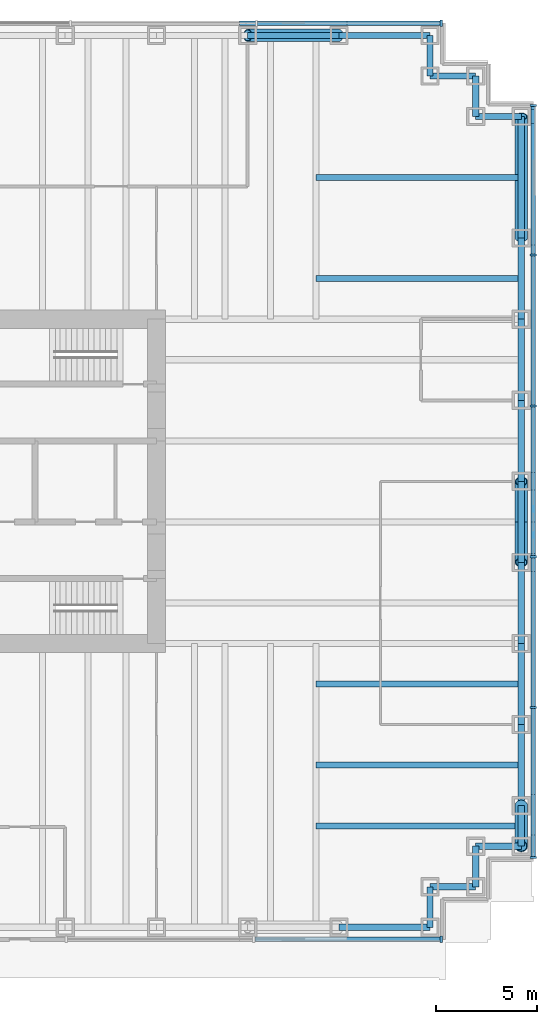
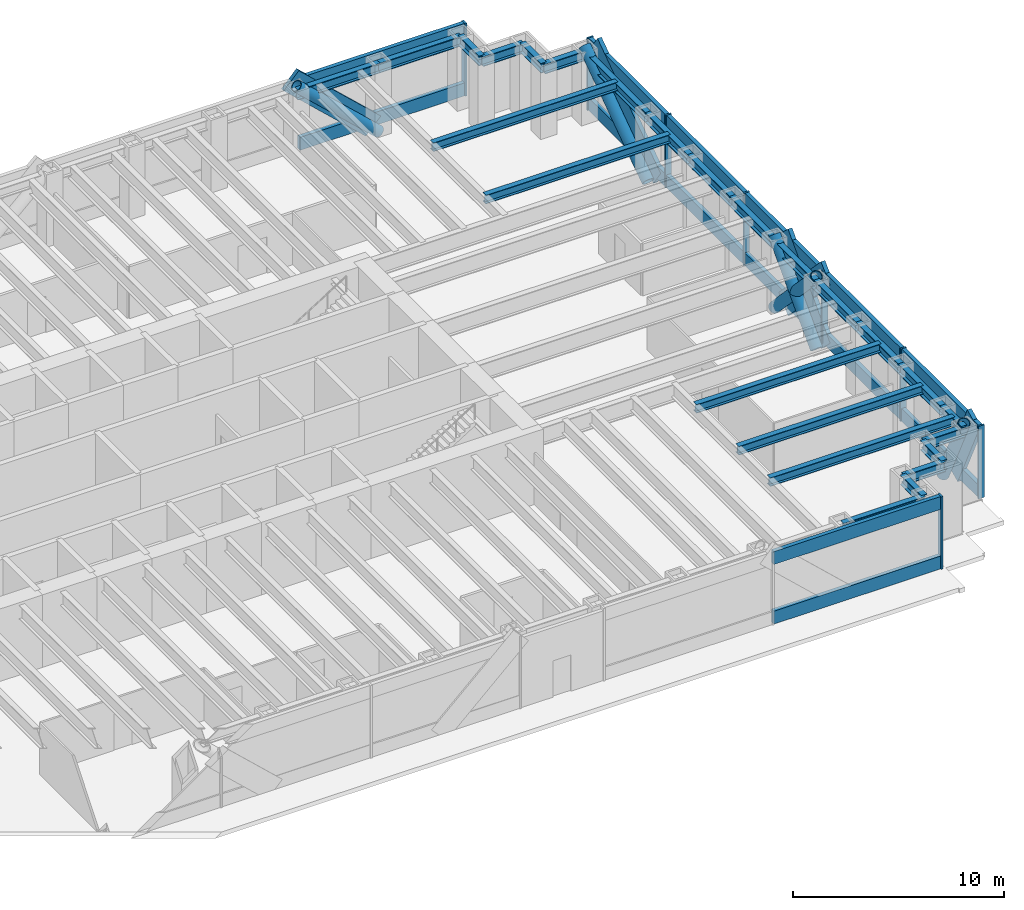
# One storey, part 5 of 14: 32 members, 25 beams, 3 elements without a shape of their own.
"""IFC4 building model written with IfcOpenShell, lengths in metres."""

import ifcopenshell
import ifcopenshell.guid

model = None  # the IFC model being written
_history = None  # IfcOwnerHistory: only IFC2X3 demands one
_inside = {}  # id of a spatial element -> (the spatial element, [elements in it])
_under = {}  # id of a project, library or spatial element -> (it, [spatial elements below it])
_declared = {}  # id of a project -> (the project, [libraries it declares])
_typed = {}  # id of a type object -> (the type object, [elements of that type])
_made_of = {}  # id of a material, layer set ... -> (it, [elements and type objects made of it])


def new_model(schema):
    """Start an empty IFC model of exactly this schema.

    Asked for "IFC4X3", IfcOpenShell would pick the latest addendum, in which some entities
    have other attributes; the version numbers below select the first issue.
    IFC2X3 requires an IfcOwnerHistory on every rooted entity: one is made here for all.
    """
    global model, _history
    if schema == "IFC4X3":
        model = ifcopenshell.file(schema_version=(4, 3, 0, 0))
    else:
        model = ifcopenshell.file(schema=schema)
    _inside.clear()
    _under.clear()
    _declared.clear()
    _typed.clear()
    _made_of.clear()
    _history = None
    if model.schema == "IFC2X3":
        org = make("IfcOrganization", Name="unknown")
        user = make(
            "IfcPersonAndOrganization",
            ThePerson=make("IfcPerson", FamilyName="unknown"),
            TheOrganization=org,
        )
        app = make(
            "IfcApplication",
            ApplicationDeveloper=org,
            Version="unknown",
            ApplicationFullName="unknown",
            ApplicationIdentifier="unknown",
        )
        _history = make(
            "IfcOwnerHistory",
            OwningUser=user,
            OwningApplication=app,
            ChangeAction="ADDED",
            CreationDate=0,
        )
    return model


def make(cls, **values):
    """One entity of the class cls with the attributes given. An attribute that is None is left unset."""
    return model.create_entity(
        cls, **{name: value for name, value in values.items() if value is not None}
    )


def rooted(cls, **values):
    """An entity with a GlobalId (a new one), such as an element, a storey or a relation."""
    return make(cls, GlobalId=ifcopenshell.guid.new(), OwnerHistory=_history, **values)


def si_unit(unit_type, name, prefix=None):
    """IfcSIUnit, for example si_unit("LENGTHUNIT", "METRE", prefix="MILLI")."""
    return make("IfcSIUnit", UnitType=unit_type, Prefix=prefix, Name=name)


def assignment(units):
    """IfcUnitAssignment: the units of a project."""
    return None if units is None else make("IfcUnitAssignment", Units=units)


def point(xyz):
    """IfcCartesianPoint."""
    return None if xyz is None else make("IfcCartesianPoint", Coordinates=xyz)


def direction(xyz):
    """IfcDirection."""
    return None if xyz is None else make("IfcDirection", DirectionRatios=xyz)


def frame(location, z_axis=None, x_axis=None):
    """IfcAxis2Placement3D, a coordinate frame: its origin and axes. An axis left out is left unset."""
    return make(
        "IfcAxis2Placement3D",
        Location=point(location),
        Axis=direction(z_axis),
        RefDirection=direction(x_axis),
    )


def frame_2d(location, x_axis=None):
    """IfcAxis2Placement2D, a coordinate frame in the plane: its origin and x axis."""
    return make(
        "IfcAxis2Placement2D", Location=point(location), RefDirection=direction(x_axis)
    )


def origin():
    """The frame at (0, 0, 0) with its axes left unset."""
    return frame((0.0, 0.0, 0.0))


def origin_2d():
    """The frame at (0, 0) in the plane with its x axis left unset."""
    return frame_2d((0.0, 0.0))


def place(relative_to, where):
    """IfcLocalPlacement: puts the frame where relative to a parent placement (None: the world)."""
    return make(
        "IfcLocalPlacement", PlacementRelTo=relative_to, RelativePlacement=where
    )


def context(
    kind, dimensions, precision=None, world=None, true_north=None, identifier=None
):
    """IfcGeometricRepresentationContext, for example the 3D "Model" context."""
    return make(
        "IfcGeometricRepresentationContext",
        ContextIdentifier=identifier,
        ContextType=kind,
        CoordinateSpaceDimension=dimensions,
        Precision=precision,
        WorldCoordinateSystem=world,
        TrueNorth=true_north,
    )


def subcontext(parent, identifier, kind, view, scale=None):
    """IfcGeometricRepresentationSubContext, for example "Body" below "Model"."""
    return make(
        "IfcGeometricRepresentationSubContext",
        ContextIdentifier=identifier,
        ContextType=kind,
        ParentContext=parent,
        TargetScale=scale,
        TargetView=view,
    )


def project(units=None, contexts=None):
    """IfcProject with its units and contexts."""
    return rooted(
        "IfcProject",
        Name="project",
        RepresentationContexts=contexts,
        UnitsInContext=assignment(units),
    )


def spatial(cls, under=None, at=None, **own):
    """A site, building, storey or space (cls), placed at a placement, below another one or the project."""
    s = rooted(cls, ObjectPlacement=at, **own)
    if under is not None:
        _under.setdefault(under.id(), (under, []))[1].append(s)
    return s


def profile(cls, at=None, kind="AREA", **sizes):
    """A parametric profile (cls). Its sizes go by their IFC names, for example OverallWidth=200.0."""
    return make(cls, ProfileType=kind, Position=at, **sizes)


def rectangle(**sizes):
    """IfcRectangleProfileDef."""
    return profile("IfcRectangleProfileDef", **sizes)


def hollow_circle(**sizes):
    """IfcCircleHollowProfileDef."""
    return profile("IfcCircleHollowProfileDef", **sizes)


def i_section(**sizes):
    """IfcIShapeProfileDef."""
    return profile("IfcIShapeProfileDef", **sizes)


def extrude(swept, where, along, depth):
    """IfcExtrudedAreaSolid: the profile swept, set in the frame where, extruded along a direction by depth."""
    return make(
        "IfcExtrudedAreaSolid",
        SweptArea=swept,
        Position=where,
        ExtrudedDirection=direction(along),
        Depth=depth,
    )


def shape(context_of_items, identifier, shape_type, items):
    """IfcShapeRepresentation: the items that make up one representation, for example the "Body"."""
    return make(
        "IfcShapeRepresentation",
        ContextOfItems=context_of_items,
        RepresentationIdentifier=identifier,
        RepresentationType=shape_type,
        Items=items,
    )


def material(Name=None, Category=None):
    """IfcMaterial."""
    return make("IfcMaterial", Name=Name, Category=Category)


def material_profile(
    of_material, cross_section, Name=None, Category=None, Priority=None
):
    """IfcMaterialProfile: a cross section and its material."""
    return make(
        "IfcMaterialProfile",
        Name=Name,
        Material=of_material,
        Profile=cross_section,
        Priority=Priority,
        Category=Category,
    )


def profile_set(profiles, Name=None, composite=None):
    """IfcMaterialProfileSet."""
    return make(
        "IfcMaterialProfileSet",
        Name=Name,
        MaterialProfiles=profiles,
        CompositeProfile=composite,
    )


def made_of(thing, what):
    """Note that an element or type object is made of a material, layer set ...; save() writes the relation."""
    if what is not None:
        _made_of.setdefault(what.id(), (what, []))[1].append(thing)
    return thing


def type_object(cls, material=None, **own):
    """A type object (cls), such as IfcWallType, which elements share."""
    return made_of(rooted(cls, **own), material)


def element(
    cls,
    number,
    at=None,
    inside=None,
    cuts=None,
    type_object=None,
    material=None,
    context=None,
    identifier="Body",
    shape_type=None,
    held_by="IfcProductDefinitionShape",
    body=None,
    shapes=None,
    **own,
):
    """One element of the class cls, such as IfcWall. Its Tag is "e" and its number.

    at: its placement. inside: the storey or other place that contains it. cuts: it is an
    opening in that element (IfcRelVoidsElement). A single representation is given by context,
    identifier, shape_type and body (its items); several are given by shapes. held_by: the class
    of the entity that holds the representations. save() writes the other relations.
    """
    e = rooted(cls, Tag="e%d" % number, ObjectPlacement=at, **own)
    if body is not None:
        shapes = [shape(context, identifier, shape_type, body)]
    if shapes is not None:
        e.Representation = make(held_by, Representations=shapes)
    if inside is not None:
        _inside.setdefault(inside.id(), (inside, []))[1].append(e)
    if cuts is not None:
        rooted(
            "IfcRelVoidsElement", RelatingBuildingElement=cuts, RelatedOpeningElement=e
        )
    if type_object is not None:
        _typed.setdefault(type_object.id(), (type_object, []))[1].append(e)
    return made_of(e, material)


def aggregate(whole, parts):
    """IfcRelAggregates: a whole, such as a stair, and the parts it consists of."""
    return rooted("IfcRelAggregates", RelatingObject=whole, RelatedObjects=parts)


def save(model, path):
    """Write the relations noted so far, then the file.

    IfcRelAggregates (storeys below a building ...), IfcRelContainedInSpatialStructure (elements
    in a storey), IfcRelDefinesByType, IfcRelAssociatesMaterial and IfcRelDeclares: one each for
    every whole, place, type object, material and project.
    """
    for whole, parts in _under.values():
        aggregate(whole, parts)
    for where, things in _inside.values():
        rooted(
            "IfcRelContainedInSpatialStructure",
            RelatedElements=things,
            RelatingStructure=where,
        )
    for kind, things in _typed.values():
        rooted("IfcRelDefinesByType", RelatedObjects=things, RelatingType=kind)
    for what, things in _made_of.values():
        rooted("IfcRelAssociatesMaterial", RelatedObjects=things, RelatingMaterial=what)
    for by, libraries in _declared.values():
        rooted("IfcRelDeclares", RelatingContext=by, RelatedDefinitions=libraries)
    model.write(path)


model = new_model("IFC4")

# Units and contexts
model_context = context("Model", 3, precision=1e-05, world=origin(), true_north=direction((0.0, 1.0)))
body_context = subcontext(model_context, "Body", "Model", "MODEL_VIEW")
ifc_project = project(units=[si_unit("LENGTHUNIT", "METRE"), si_unit("AREAUNIT", "SQUARE_METRE"), si_unit("VOLUMEUNIT", "CUBIC_METRE"), si_unit("PLANEANGLEUNIT", "RADIAN"), si_unit("MASSUNIT", "GRAM", prefix="KILO")], contexts=[model_context])

# Site, building, storey
site_placement = place(None, origin())
site = spatial("IfcSite", under=ifc_project, at=site_placement, CompositionType="ELEMENT")
building_placement = place(site_placement, origin())
building = spatial("IfcBuilding", under=site, at=building_placement, Name="Rheinbord Bourse Tower", CompositionType="ELEMENT")
storey_placement = place(building_placement, frame((0.0, 0.0, 100.5)))
storey = spatial("IfcBuildingStorey", under=building, at=storey_placement, Name="L21", CompositionType="ELEMENT", Elevation=100.5)

# Curtain wall, members
ifc_material_1 = material(Name="Dark glass and black aluminium", Category="aluminium")
curtain_wall_type = type_object("IfcCurtainWallType", Name="CW6 DARK GLASS CURTAIN WALL", PredefinedType="USERDEFINED", material=ifc_material_1)
curtain_wall_1_placement = place(storey_placement, origin())
curtain_wall_1 = element("IfcCurtainWall", 1, at=curtain_wall_1_placement, inside=storey, type_object=curtain_wall_type, Name="Curtain wall CW6 E L21", ObjectType="UNITISED CURTAIN WALL", PredefinedType="USERDEFINED")
ifc_material_2 = material(Name="Black anodised aluminium", Category="aluminium")
ifc_material_profile_1 = material_profile(ifc_material_2, rectangle(XDim=0.219970703125, YDim=1.2099609375, at=origin_2d()), Name="CW6 DIAGONAL MULLION 1210x220")
ifc_profile_set_1 = profile_set([ifc_material_profile_1], Name="Black anodised aluminium")
member_type_1 = type_object("IfcMemberType", Name="CW6 BLACK DIAGONAL MULLION", PredefinedType="USERDEFINED", material=ifc_profile_set_1)
member_1_placement = place(storey_placement, frame((72.60009765625, 20.0, 0.0), z_axis=(0.0, 0.689659376744, 0.724133926887), x_axis=(-1.0, 0.0, 0.0)))
member_1 = element("IfcMember", 2, at=member_1_placement, type_object=member_type_1, Name="CW6 diagonal mullion a", ObjectType="DIAGONAL MULLION", PredefinedType="USERDEFINED", context=body_context, shape_type="SweptSolid", body=[
    extrude(rectangle(XDim=0.219970703125, YDim=1.2099609375, at=origin_2d()), origin(), (0.0, 0.0, 1.0), 5.800048828125),
])
member_2_placement = place(storey_placement, frame((72.60009765625, 24.0, 0.0), z_axis=(0.0, -0.689659376744, 0.724133926887), x_axis=(1.0, 0.0, 0.0)))
member_2 = element("IfcMember", 3, at=member_2_placement, type_object=member_type_1, Name="CW6 diagonal mullion b", ObjectType="DIAGONAL MULLION", PredefinedType="USERDEFINED", context=body_context, shape_type="SweptSolid", body=[
    extrude(rectangle(XDim=0.219970703125, YDim=1.2099609375, at=origin_2d()), origin(), (0.0, 0.0, 1.0), 5.800048828125),
])
member_3_placement = place(storey_placement, frame((72.60009765625, 36.0, 0.0), z_axis=(0.0, 0.819235052632, 0.57345786989), x_axis=(-1.0, 0.0, 0.0)))
member_3 = element("IfcMember", 4, at=member_3_placement, type_object=member_type_1, Name="CW6 diagonal mullion c", ObjectType="DIAGONAL MULLION", PredefinedType="USERDEFINED", context=body_context, shape_type="SweptSolid", body=[
    extrude(rectangle(XDim=0.219970703125, YDim=1.2099609375, at=origin_2d()), origin(), (0.0, 0.0, 1.0), 7.323974609375),
])
member_4_placement = place(storey_placement, frame((72.60009765625, 8.0, 0.0), z_axis=(0.0, -0.429937654825, 0.902858578607), x_axis=(1.0, 0.0, 0.0)))
member_4 = element("IfcMember", 5, at=member_4_placement, type_object=member_type_1, Name="CW6 diagonal mullion d", ObjectType="DIAGONAL MULLION", PredefinedType="USERDEFINED", context=body_context, shape_type="SweptSolid", body=[
    extrude(rectangle(XDim=0.219970703125, YDim=1.2099609375, at=origin_2d()), origin(), (0.0, 0.0, 1.0), 4.65185546875),
])

# Curtain wall, member
curtain_wall_2_placement = place(storey_placement, origin())
curtain_wall_2 = element("IfcCurtainWall", 6, at=curtain_wall_2_placement, inside=storey, type_object=curtain_wall_type, Name="Curtain wall CW6 N L21", ObjectType="UNITISED CURTAIN WALL", PredefinedType="USERDEFINED")
member_5_placement = place(storey_placement, frame((63.0, 46.60009765625, 0.0), z_axis=(-0.73105922506, 0.0, 0.682314010889), x_axis=(0.0, -1.0, 0.0)))
member_5 = element("IfcMember", 7, at=member_5_placement, type_object=member_type_1, Name="CW6 diagonal mullion d", ObjectType="DIAGONAL MULLION", PredefinedType="USERDEFINED", context=body_context, shape_type="SweptSolid", body=[
    extrude(rectangle(XDim=0.219970703125, YDim=1.2099609375, at=origin_2d()), origin(), (0.0, 0.0, 1.0), 6.155517578125),
])

curtain_wall_3_placement = place(storey_placement, origin())
curtain_wall_3 = element("IfcCurtainWall", 8, at=curtain_wall_3_placement, inside=storey, type_object=curtain_wall_type, Name="Curtain wall CW6 S L21", ObjectType="UNITISED CURTAIN WALL", PredefinedType="USERDEFINED")
ifc_material_3 = material(Name="Black anodised aluminium", Category="aluminium")
ifc_material_profile_2 = material_profile(ifc_material_3, rectangle(XDim=0.320068359375, YDim=0.10009765625, at=origin_2d()), Name="CW6 MULLION 100x320")
ifc_profile_set_2 = profile_set([ifc_material_profile_2], Name="Black anodised aluminium")
member_type_2 = type_object("IfcMemberType", Name="CW6 BLACK MULLION", PredefinedType="MULLION", material=ifc_profile_set_2)
member_6_placement = place(storey_placement, frame((68.050048828125, 1.39990234375, 0.0), z_axis=(0.0, 0.0, 1.0), x_axis=(0.0, 1.0, 0.0)))
member_6 = element("IfcMember", 9, at=member_6_placement, type_object=member_type_2, Name="CW6 mullion 3", PredefinedType="MULLION", context=body_context, shape_type="SweptSolid", body=[
    extrude(rectangle(XDim=0.320068359375, YDim=0.10009765625, at=origin_2d()), origin(), (0.0, 0.0, 1.0), 4.199951171875),
])

# Member
member_7_placement = place(storey_placement, frame((72.60009765625, 5.449951171875, 0.0), z_axis=(0.0, 0.0, 1.0), x_axis=(-1.0, 0.0, 0.0)))
member_7 = element("IfcMember", 10, at=member_7_placement, type_object=member_type_2, Name="CW6 mullion 1", PredefinedType="MULLION", context=body_context, shape_type="SweptSolid", body=[
    extrude(rectangle(XDim=0.320068359375, YDim=0.10009765625, at=origin_2d()), origin(), (0.0, 0.0, 1.0), 4.199951171875),
])

member_8_placement = place(storey_placement, frame((72.60009765625, 12.840087890625, 0.0), z_axis=(0.0, 0.0, 1.0), x_axis=(-1.0, 0.0, 0.0)))
member_8 = element("IfcMember", 11, at=member_8_placement, type_object=member_type_2, Name="CW6 mullion 2", PredefinedType="MULLION", context=body_context, shape_type="SweptSolid", body=[
    extrude(rectangle(XDim=0.320068359375, YDim=0.10009765625, at=origin_2d()), origin(), (0.0, 0.0, 1.0), 4.199951171875),
])

member_9_placement = place(storey_placement, frame((72.60009765625, 20.280029296875, 0.0), z_axis=(0.0, 0.0, 1.0), x_axis=(-1.0, 0.0, 0.0)))
member_9 = element("IfcMember", 12, at=member_9_placement, type_object=member_type_2, Name="CW6 mullion 3", PredefinedType="MULLION", context=body_context, shape_type="SweptSolid", body=[
    extrude(rectangle(XDim=0.320068359375, YDim=0.10009765625, at=origin_2d()), origin(), (0.0, 0.0, 1.0), 4.199951171875),
])

member_10_placement = place(storey_placement, frame((72.60009765625, 27.719970703125, 0.0), z_axis=(0.0, 0.0, 1.0), x_axis=(-1.0, 0.0, 0.0)))
member_10 = element("IfcMember", 13, at=member_10_placement, type_object=member_type_2, Name="CW6 mullion 4", PredefinedType="MULLION", context=body_context, shape_type="SweptSolid", body=[
    extrude(rectangle(XDim=0.320068359375, YDim=0.10009765625, at=origin_2d()), origin(), (0.0, 0.0, 1.0), 4.199951171875),
])

member_11_placement = place(storey_placement, frame((72.60009765625, 35.159912109375, 0.0), z_axis=(0.0, 0.0, 1.0), x_axis=(-1.0, 0.0, 0.0)))
member_11 = element("IfcMember", 14, at=member_11_placement, type_object=member_type_2, Name="CW6 mullion 5", PredefinedType="MULLION", context=body_context, shape_type="SweptSolid", body=[
    extrude(rectangle(XDim=0.320068359375, YDim=0.10009765625, at=origin_2d()), origin(), (0.0, 0.0, 1.0), 4.199951171875),
])

member_12_placement = place(storey_placement, frame((72.60009765625, 42.550048828125, 0.0), z_axis=(0.0, 0.0, 1.0), x_axis=(-1.0, 0.0, 0.0)))
member_12 = element("IfcMember", 15, at=member_12_placement, type_object=member_type_2, Name="CW6 mullion 6", PredefinedType="MULLION", context=body_context, shape_type="SweptSolid", body=[
    extrude(rectangle(XDim=0.320068359375, YDim=0.10009765625, at=origin_2d()), origin(), (0.0, 0.0, 1.0), 4.199951171875),
])

member_13_placement = place(storey_placement, frame((68.050048828125, 46.60009765625, 0.0), z_axis=(0.0, 0.0, 1.0), x_axis=(0.0, -1.0, 0.0)))
member_13 = element("IfcMember", 16, at=member_13_placement, type_object=member_type_2, Name="CW6 mullion 1", PredefinedType="MULLION", context=body_context, shape_type="SweptSolid", body=[
    extrude(rectangle(XDim=0.320068359375, YDim=0.10009765625, at=origin_2d()), origin(), (0.0, 0.0, 1.0), 4.199951171875),
])

ifc_material_4 = material(Name="Black anodised aluminium", Category="aluminium")
ifc_material_profile_3 = material_profile(ifc_material_4, rectangle(XDim=0.219970703125, YDim=0.75, at=origin_2d()), Name="CW6 TRANSOM 750x220")
ifc_profile_set_3 = profile_set([ifc_material_profile_3], Name="Black anodised aluminium")
member_type_3 = type_object("IfcMemberType", Name="CW6 BLACK TRANSOM", PredefinedType="USERDEFINED", material=ifc_profile_set_3)
member_14_placement = place(storey_placement, frame((58.85009765625, 1.39990234375, 0.375), z_axis=(1.0, 0.0, 0.0), x_axis=(0.0, 1.0, 0.0)))
member_14 = element("IfcMember", 17, at=member_14_placement, type_object=member_type_3, Name="CW6 transom 2.1", ObjectType="TRANSOM", PredefinedType="USERDEFINED", context=body_context, shape_type="SweptSolid", body=[
    extrude(rectangle(XDim=0.219970703125, YDim=0.75, at=origin_2d()), origin(), (0.0, 0.0, 1.0), 9.14990234375),
])

member_15_placement = place(storey_placement, frame((58.85009765625, 1.39990234375, 3.824951171875), z_axis=(1.0, 0.0, 0.0), x_axis=(0.0, 1.0, 0.0)))
member_15 = element("IfcMember", 18, at=member_15_placement, type_object=member_type_3, Name="CW6 transom 2.2", ObjectType="TRANSOM", PredefinedType="USERDEFINED", context=body_context, shape_type="SweptSolid", body=[
    extrude(rectangle(XDim=0.219970703125, YDim=0.75, at=origin_2d()), origin(), (0.0, 0.0, 1.0), 9.14990234375),
])

aggregate(curtain_wall_3, [member_6, member_14, member_15])

member_16_placement = place(storey_placement, frame((72.60009765625, 5.5, 0.375), z_axis=(0.0, 1.0, 0.0), x_axis=(-1.0, 0.0, 0.0)))
member_16 = element("IfcMember", 19, at=member_16_placement, type_object=member_type_3, Name="CW6 transom 1.1", ObjectType="TRANSOM", PredefinedType="USERDEFINED", context=body_context, shape_type="SweptSolid", body=[
    extrude(rectangle(XDim=0.219970703125, YDim=0.75, at=origin_2d()), origin(), (0.0, 0.0, 1.0), 7.2900390625),
])

member_17_placement = place(storey_placement, frame((72.60009765625, 5.5, 3.824951171875), z_axis=(0.0, 1.0, 0.0), x_axis=(-1.0, 0.0, 0.0)))
member_17 = element("IfcMember", 20, at=member_17_placement, type_object=member_type_3, Name="CW6 transom 1.2", ObjectType="TRANSOM", PredefinedType="USERDEFINED", context=body_context, shape_type="SweptSolid", body=[
    extrude(rectangle(XDim=0.219970703125, YDim=0.75, at=origin_2d()), origin(), (0.0, 0.0, 1.0), 7.2900390625),
])

member_18_placement = place(storey_placement, frame((72.60009765625, 12.889892578125, 0.375), z_axis=(0.0, 1.0, 0.0), x_axis=(-1.0, 0.0, 0.0)))
member_18 = element("IfcMember", 21, at=member_18_placement, type_object=member_type_3, Name="CW6 transom 2.1", ObjectType="TRANSOM", PredefinedType="USERDEFINED", context=body_context, shape_type="SweptSolid", body=[
    extrude(rectangle(XDim=0.219970703125, YDim=0.75, at=origin_2d()), origin(), (0.0, 0.0, 1.0), 7.340087890625),
])

member_19_placement = place(storey_placement, frame((72.60009765625, 12.889892578125, 3.824951171875), z_axis=(0.0, 1.0, 0.0), x_axis=(-1.0, 0.0, 0.0)))
member_19 = element("IfcMember", 22, at=member_19_placement, type_object=member_type_3, Name="CW6 transom 2.2", ObjectType="TRANSOM", PredefinedType="USERDEFINED", context=body_context, shape_type="SweptSolid", body=[
    extrude(rectangle(XDim=0.219970703125, YDim=0.75, at=origin_2d()), origin(), (0.0, 0.0, 1.0), 7.340087890625),
])

member_20_placement = place(storey_placement, frame((72.60009765625, 20.330078125, 0.375), z_axis=(0.0, 1.0, 0.0), x_axis=(-1.0, 0.0, 0.0)))
member_20 = element("IfcMember", 23, at=member_20_placement, type_object=member_type_3, Name="CW6 transom 3.1", ObjectType="TRANSOM", PredefinedType="USERDEFINED", context=body_context, shape_type="SweptSolid", body=[
    extrude(rectangle(XDim=0.219970703125, YDim=0.75, at=origin_2d()), origin(), (0.0, 0.0, 1.0), 7.33984375),
])

member_21_placement = place(storey_placement, frame((72.60009765625, 20.330078125, 3.824951171875), z_axis=(0.0, 1.0, 0.0), x_axis=(-1.0, 0.0, 0.0)))
member_21 = element("IfcMember", 24, at=member_21_placement, type_object=member_type_3, Name="CW6 transom 3.2", ObjectType="TRANSOM", PredefinedType="USERDEFINED", context=body_context, shape_type="SweptSolid", body=[
    extrude(rectangle(XDim=0.219970703125, YDim=0.75, at=origin_2d()), origin(), (0.0, 0.0, 1.0), 7.33984375),
])

member_22_placement = place(storey_placement, frame((72.60009765625, 27.77001953125, 0.375), z_axis=(0.0, 1.0, 0.0), x_axis=(-1.0, 0.0, 0.0)))
member_22 = element("IfcMember", 25, at=member_22_placement, type_object=member_type_3, Name="CW6 transom 4.1", ObjectType="TRANSOM", PredefinedType="USERDEFINED", context=body_context, shape_type="SweptSolid", body=[
    extrude(rectangle(XDim=0.219970703125, YDim=0.75, at=origin_2d()), origin(), (0.0, 0.0, 1.0), 7.340087890625),
])

member_23_placement = place(storey_placement, frame((72.60009765625, 27.77001953125, 3.824951171875), z_axis=(0.0, 1.0, 0.0), x_axis=(-1.0, 0.0, 0.0)))
member_23 = element("IfcMember", 26, at=member_23_placement, type_object=member_type_3, Name="CW6 transom 4.2", ObjectType="TRANSOM", PredefinedType="USERDEFINED", context=body_context, shape_type="SweptSolid", body=[
    extrude(rectangle(XDim=0.219970703125, YDim=0.75, at=origin_2d()), origin(), (0.0, 0.0, 1.0), 7.340087890625),
])

member_24_placement = place(storey_placement, frame((72.60009765625, 35.2099609375, 0.375), z_axis=(0.0, 1.0, 0.0), x_axis=(-1.0, 0.0, 0.0)))
member_24 = element("IfcMember", 27, at=member_24_placement, type_object=member_type_3, Name="CW6 transom 5.1", ObjectType="TRANSOM", PredefinedType="USERDEFINED", context=body_context, shape_type="SweptSolid", body=[
    extrude(rectangle(XDim=0.219970703125, YDim=0.75, at=origin_2d()), origin(), (0.0, 0.0, 1.0), 7.2900390625),
])

member_25_placement = place(storey_placement, frame((72.60009765625, 35.2099609375, 3.824951171875), z_axis=(0.0, 1.0, 0.0), x_axis=(-1.0, 0.0, 0.0)))
member_25 = element("IfcMember", 28, at=member_25_placement, type_object=member_type_3, Name="CW6 transom 5.2", ObjectType="TRANSOM", PredefinedType="USERDEFINED", context=body_context, shape_type="SweptSolid", body=[
    extrude(rectangle(XDim=0.219970703125, YDim=0.75, at=origin_2d()), origin(), (0.0, 0.0, 1.0), 7.2900390625),
])

aggregate(curtain_wall_1, [member_7, member_8, member_9, member_10, member_11, member_12, member_16, member_17, member_18, member_19, member_20, member_21, member_22, member_23, member_24, member_25, member_1, member_2, member_3, member_4])

member_26_placement = place(storey_placement, frame((68.0, 46.60009765625, 0.375), z_axis=(-1.0, 0.0, 0.0), x_axis=(0.0, -1.0, 0.0)))
member_26 = element("IfcMember", 29, at=member_26_placement, type_object=member_type_3, Name="CW6 transom 1.1", ObjectType="TRANSOM", PredefinedType="USERDEFINED", context=body_context, shape_type="SweptSolid", body=[
    extrude(rectangle(XDim=0.219970703125, YDim=0.75, at=origin_2d()), origin(), (0.0, 0.0, 1.0), 9.021484375),
])

member_27_placement = place(storey_placement, frame((68.0, 46.60009765625, 3.824951171875), z_axis=(-1.0, 0.0, 0.0), x_axis=(0.0, -1.0, 0.0)))
member_27 = element("IfcMember", 30, at=member_27_placement, type_object=member_type_3, Name="CW6 transom 1.2", ObjectType="TRANSOM", PredefinedType="USERDEFINED", context=body_context, shape_type="SweptSolid", body=[
    extrude(rectangle(XDim=0.219970703125, YDim=0.75, at=origin_2d()), origin(), (0.0, 0.0, 1.0), 9.021484375),
])

aggregate(curtain_wall_2, [member_13, member_26, member_27, member_5])

# Members
ifc_material_5 = material(Name="Steel S460", Category="steel")
ifc_material_profile_4 = material_profile(ifc_material_5, hollow_circle(Radius=0.304931640625, WallThickness=0.0400390625, at=origin_2d()), Name="CHS 610x40")
ifc_profile_set_4 = profile_set([ifc_material_profile_4], Name="Steel S460")
member_type_4 = type_object("IfcMemberType", Name="MEGABRACE CHS 610x40", PredefinedType="BRACE", material=ifc_profile_set_4)
for number, where, z_axis, x_axis, name in (
    (31, (72.0, 20.0, 0.0), (0.0, 0.689659376744, 0.724133926887), (-1.0, 0.0, 0.0), "Megabrace E face line a L21"),
    (32, (72.0, 24.0, 0.0), (0.0, -0.689659376744, 0.724133926887), (1.0, 0.0, 0.0), "Megabrace E face line b L21"),
):
    element("IfcMember", number, at=place(storey_placement, frame(where, z_axis=z_axis, x_axis=x_axis)), inside=storey, type_object=member_type_4, Name=name, PredefinedType="BRACE", context=body_context, shape_type="SweptSolid", body=[
        extrude(hollow_circle(Radius=0.304931640625, WallThickness=0.0400390625, at=origin_2d()), origin(), (0.0, 0.0, 1.0), 5.800048828125),
    ])
member_28_placement = place(storey_placement, frame((72.0, 36.0, 0.0), z_axis=(0.0, 0.819235052632, 0.57345786989), x_axis=(-1.0, 0.0, 0.0)))
element("IfcMember", 33, at=member_28_placement, inside=storey, type_object=member_type_4, Name="Megabrace E face line c L21", PredefinedType="BRACE", context=body_context, shape_type="SweptSolid", body=[
    extrude(hollow_circle(Radius=0.304931640625, WallThickness=0.0400390625, at=origin_2d()), origin(), (0.0, 0.0, 1.0), 7.323974609375),
])
member_29_placement = place(storey_placement, frame((72.0, 8.0, 0.0), z_axis=(0.0, -0.429937654825, 0.902858578607), x_axis=(1.0, 0.0, 0.0)))
element("IfcMember", 34, at=member_29_placement, inside=storey, type_object=member_type_4, Name="Megabrace E face line d L21", PredefinedType="BRACE", context=body_context, shape_type="SweptSolid", body=[
    extrude(hollow_circle(Radius=0.304931640625, WallThickness=0.0400390625, at=origin_2d()), origin(), (0.0, 0.0, 1.0), 4.65185546875),
])
member_30_placement = place(storey_placement, frame((63.0, 46.0, 0.0), z_axis=(-0.73105922506, 0.0, 0.682314010889), x_axis=(0.0, -1.0, 0.0)))
element("IfcMember", 35, at=member_30_placement, inside=storey, type_object=member_type_4, Name="Megabrace N face line d L21", PredefinedType="BRACE", context=body_context, shape_type="SweptSolid", body=[
    extrude(hollow_circle(Radius=0.304931640625, WallThickness=0.0400390625, at=origin_2d()), origin(), (0.0, 0.0, 1.0), 6.155517578125),
])

# Beams
ifc_material_6 = material(Name="Steel S460", Category="steel")
ifc_material_profile_5 = material_profile(ifc_material_6, i_section(OverallWidth=0.305908203125, OverallDepth=0.572021484375, WebThickness=0.02099609375, FlangeThickness=0.0400390625, at=origin_2d()), Name="HEM 550")
ifc_profile_set_5 = profile_set([ifc_material_profile_5], Name="Steel S460")
beam_type_1 = type_object("IfcBeamType", Name="SPANDREL HEM 550", PredefinedType="SPANDREL", material=ifc_profile_set_5)
beam_1_placement = place(storey_placement, frame((63.0, 2.0, 3.75390625), z_axis=(1.0, 0.0, 0.0), x_axis=(0.0, 1.0, 0.0)))
element("IfcBeam", 36, at=beam_1_placement, inside=storey, type_object=beam_type_1, Name="Spandrel S-63-SE-E under L22", PredefinedType="SPANDREL", context=body_context, shape_type="SweptSolid", body=[
    extrude(i_section(OverallWidth=0.305908203125, OverallDepth=0.572021484375, WebThickness=0.02099609375, FlangeThickness=0.0400390625, at=origin_2d()), origin(), (0.0, 0.0, 1.0), 4.5),
])
beam_2_placement = place(storey_placement, frame((67.5, 2.0, 3.75390625), z_axis=(0.0, 1.0, 0.0), x_axis=(-1.0, 0.0, 0.0)))
element("IfcBeam", 37, at=beam_2_placement, inside=storey, type_object=beam_type_1, Name="Spandrel SE-E-SE-D under L22", PredefinedType="SPANDREL", context=body_context, shape_type="SweptSolid", body=[
    extrude(i_section(OverallWidth=0.305908203125, OverallDepth=0.572021484375, WebThickness=0.02099609375, FlangeThickness=0.0400390625, at=origin_2d()), origin(), (0.0, 0.0, 1.0), 2.0),
])
beam_3_placement = place(storey_placement, frame((67.5, 4.0, 3.75390625), z_axis=(1.0, 0.0, 0.0), x_axis=(0.0, 1.0, 0.0)))
element("IfcBeam", 38, at=beam_3_placement, inside=storey, type_object=beam_type_1, Name="Spandrel SE-D-SE-C under L22", PredefinedType="SPANDREL", context=body_context, shape_type="SweptSolid", body=[
    extrude(i_section(OverallWidth=0.305908203125, OverallDepth=0.572021484375, WebThickness=0.02099609375, FlangeThickness=0.0400390625, at=origin_2d()), origin(), (0.0, 0.0, 1.0), 2.25),
])
beam_4_placement = place(storey_placement, frame((69.75, 4.0, 3.75390625), z_axis=(0.0, 1.0, 0.0), x_axis=(-1.0, 0.0, 0.0)))
element("IfcBeam", 39, at=beam_4_placement, inside=storey, type_object=beam_type_1, Name="Spandrel SE-C-SE-B under L22", PredefinedType="SPANDREL", context=body_context, shape_type="SweptSolid", body=[
    extrude(i_section(OverallWidth=0.305908203125, OverallDepth=0.572021484375, WebThickness=0.02099609375, FlangeThickness=0.0400390625, at=origin_2d()), origin(), (0.0, 0.0, 1.0), 2.0),
])
beam_5_placement = place(storey_placement, frame((69.75, 6.0, 3.75390625), z_axis=(1.0, 0.0, 0.0), x_axis=(0.0, 1.0, 0.0)))
element("IfcBeam", 40, at=beam_5_placement, inside=storey, type_object=beam_type_1, Name="Spandrel SE-B-SE-A under L22", PredefinedType="SPANDREL", context=body_context, shape_type="SweptSolid", body=[
    extrude(i_section(OverallWidth=0.305908203125, OverallDepth=0.572021484375, WebThickness=0.02099609375, FlangeThickness=0.0400390625, at=origin_2d()), origin(), (0.0, 0.0, 1.0), 2.25),
])
beam_6_placement = place(storey_placement, frame((72.0, 6.0, 3.75390625), z_axis=(0.0, 1.0, 0.0), x_axis=(-1.0, 0.0, 0.0)))
element("IfcBeam", 41, at=beam_6_placement, inside=storey, type_object=beam_type_1, Name="Spandrel SE-A-E-8 under L22", PredefinedType="SPANDREL", context=body_context, shape_type="SweptSolid", body=[
    extrude(i_section(OverallWidth=0.305908203125, OverallDepth=0.572021484375, WebThickness=0.02099609375, FlangeThickness=0.0400390625, at=origin_2d()), origin(), (0.0, 0.0, 1.0), 2.0),
])
for number, where, z_axis, x_axis, name in (
    (42, (72.0, 8.0, 3.75390625), (0.0, 1.0, 0.0), (-1.0, 0.0, 0.0), "Spandrel E-8-E-12 under L22"),
    (43, (72.0, 12.0, 3.75390625), (0.0, 1.0, 0.0), (-1.0, 0.0, 0.0), "Spandrel E-12-E-16 under L22"),
    (44, (72.0, 16.0, 3.75390625), (0.0, 1.0, 0.0), (-1.0, 0.0, 0.0), "Spandrel E-16-E-20 under L22"),
    (45, (72.0, 20.0, 3.75390625), (0.0, 1.0, 0.0), (-1.0, 0.0, 0.0), "Spandrel E-20-E-24 under L22"),
    (46, (72.0, 24.0, 3.75390625), (0.0, 1.0, 0.0), (-1.0, 0.0, 0.0), "Spandrel E-24-E-28 under L22"),
    (47, (72.0, 28.0, 3.75390625), (0.0, 1.0, 0.0), (-1.0, 0.0, 0.0), "Spandrel E-28-E-32 under L22"),
    (48, (72.0, 32.0, 3.75390625), (0.0, 1.0, 0.0), (-1.0, 0.0, 0.0), "Spandrel E-32-E-36 under L22"),
):
    element("IfcBeam", number, at=place(storey_placement, frame(where, z_axis=z_axis, x_axis=x_axis)), inside=storey, type_object=beam_type_1, Name=name, PredefinedType="SPANDREL", context=body_context, shape_type="SweptSolid", body=[
        extrude(i_section(OverallWidth=0.305908203125, OverallDepth=0.572021484375, WebThickness=0.02099609375, FlangeThickness=0.0400390625, at=origin_2d()), origin(), (0.0, 0.0, 1.0), 4.0),
    ])
beam_7_placement = place(storey_placement, frame((72.0, 36.0, 3.75390625), z_axis=(0.0, 1.0, 0.0), x_axis=(-1.0, 0.0, 0.0)))
element("IfcBeam", 49, at=beam_7_placement, inside=storey, type_object=beam_type_1, Name="Spandrel E-36-NE-A under L22", PredefinedType="SPANDREL", context=body_context, shape_type="SweptSolid", body=[
    extrude(i_section(OverallWidth=0.305908203125, OverallDepth=0.572021484375, WebThickness=0.02099609375, FlangeThickness=0.0400390625, at=origin_2d()), origin(), (0.0, 0.0, 1.0), 6.0),
])
beam_8_placement = place(storey_placement, frame((72.0, 42.0, 3.75390625), z_axis=(-1.0, 0.0, 0.0), x_axis=(0.0, -1.0, 0.0)))
element("IfcBeam", 50, at=beam_8_placement, inside=storey, type_object=beam_type_1, Name="Spandrel NE-A-NE-B under L22", PredefinedType="SPANDREL", context=body_context, shape_type="SweptSolid", body=[
    extrude(i_section(OverallWidth=0.305908203125, OverallDepth=0.572021484375, WebThickness=0.02099609375, FlangeThickness=0.0400390625, at=origin_2d()), origin(), (0.0, 0.0, 1.0), 2.25),
])
beam_9_placement = place(storey_placement, frame((69.75, 42.0, 3.75390625), z_axis=(0.0, 1.0, 0.0), x_axis=(-1.0, 0.0, 0.0)))
element("IfcBeam", 51, at=beam_9_placement, inside=storey, type_object=beam_type_1, Name="Spandrel NE-B-NE-C under L22", PredefinedType="SPANDREL", context=body_context, shape_type="SweptSolid", body=[
    extrude(i_section(OverallWidth=0.305908203125, OverallDepth=0.572021484375, WebThickness=0.02099609375, FlangeThickness=0.0400390625, at=origin_2d()), origin(), (0.0, 0.0, 1.0), 2.0),
])
beam_10_placement = place(storey_placement, frame((69.75, 44.0, 3.75390625), z_axis=(-1.0, 0.0, 0.0), x_axis=(0.0, -1.0, 0.0)))
element("IfcBeam", 52, at=beam_10_placement, inside=storey, type_object=beam_type_1, Name="Spandrel NE-C-NE-D under L22", PredefinedType="SPANDREL", context=body_context, shape_type="SweptSolid", body=[
    extrude(i_section(OverallWidth=0.305908203125, OverallDepth=0.572021484375, WebThickness=0.02099609375, FlangeThickness=0.0400390625, at=origin_2d()), origin(), (0.0, 0.0, 1.0), 2.25),
])
beam_11_placement = place(storey_placement, frame((67.5, 44.0, 3.75390625), z_axis=(0.0, 1.0, 0.0), x_axis=(-1.0, 0.0, 0.0)))
element("IfcBeam", 53, at=beam_11_placement, inside=storey, type_object=beam_type_1, Name="Spandrel NE-D-NE-E under L22", PredefinedType="SPANDREL", context=body_context, shape_type="SweptSolid", body=[
    extrude(i_section(OverallWidth=0.305908203125, OverallDepth=0.572021484375, WebThickness=0.02099609375, FlangeThickness=0.0400390625, at=origin_2d()), origin(), (0.0, 0.0, 1.0), 2.0),
])
for number, where, z_axis, x_axis, name in (
    (54, (67.5, 46.0, 3.75390625), (-1.0, 0.0, 0.0), (0.0, -1.0, 0.0), "Spandrel NE-E-N-63 under L22"),
    (55, (63.0, 46.0, 3.75390625), (-1.0, 0.0, 0.0), (0.0, -1.0, 0.0), "Spandrel N-63-N-58.5 under L22"),
):
    element("IfcBeam", number, at=place(storey_placement, frame(where, z_axis=z_axis, x_axis=x_axis)), inside=storey, type_object=beam_type_1, Name=name, PredefinedType="SPANDREL", context=body_context, shape_type="SweptSolid", body=[
        extrude(i_section(OverallWidth=0.305908203125, OverallDepth=0.572021484375, WebThickness=0.02099609375, FlangeThickness=0.0400390625, at=origin_2d()), origin(), (0.0, 0.0, 1.0), 4.5),
    ])
ifc_material_7 = material(Name="Steel S460", Category="steel")
ifc_material_profile_6 = material_profile(ifc_material_7, i_section(OverallWidth=0.300048828125, OverallDepth=0.5, WebThickness=0.014404296875, FlangeThickness=0.028076171875, at=origin_2d()), Name="HEB 500")
ifc_profile_set_6 = profile_set([ifc_material_profile_6], Name="Steel S460")
beam_type_2 = type_object("IfcBeamType", Name="TIE BEAM HEB 500", PredefinedType="JOIST", material=ifc_profile_set_6)
for number, where, z_axis, x_axis, name in (
    (56, (61.875, 7.0, 3.7900390625), (1.0, 0.0, 0.0), (0.0, 1.0, 0.0), "Tie east 7 L22"),
    (57, (61.875, 10.0, 3.7900390625), (1.0, 0.0, 0.0), (0.0, 1.0, 0.0), "Tie east 10 L22"),
    (58, (61.875, 14.0, 3.7900390625), (1.0, 0.0, 0.0), (0.0, 1.0, 0.0), "Tie east 14 L22"),
    (59, (61.875, 34.0, 3.7900390625), (1.0, 0.0, 0.0), (0.0, 1.0, 0.0), "Tie east 34 L22"),
    (60, (61.875, 39.0, 3.7900390625), (1.0, 0.0, 0.0), (0.0, 1.0, 0.0), "Tie east 39 L22"),
):
    element("IfcBeam", number, at=place(storey_placement, frame(where, z_axis=z_axis, x_axis=x_axis)), inside=storey, type_object=beam_type_2, Name=name, PredefinedType="JOIST", context=body_context, shape_type="SweptSolid", body=[
        extrude(i_section(OverallWidth=0.300048828125, OverallDepth=0.5, WebThickness=0.014404296875, FlangeThickness=0.028076171875, at=origin_2d()), origin(), (0.0, 0.0, 1.0), 10.125),
    ])

save(model, "model.ifc")
